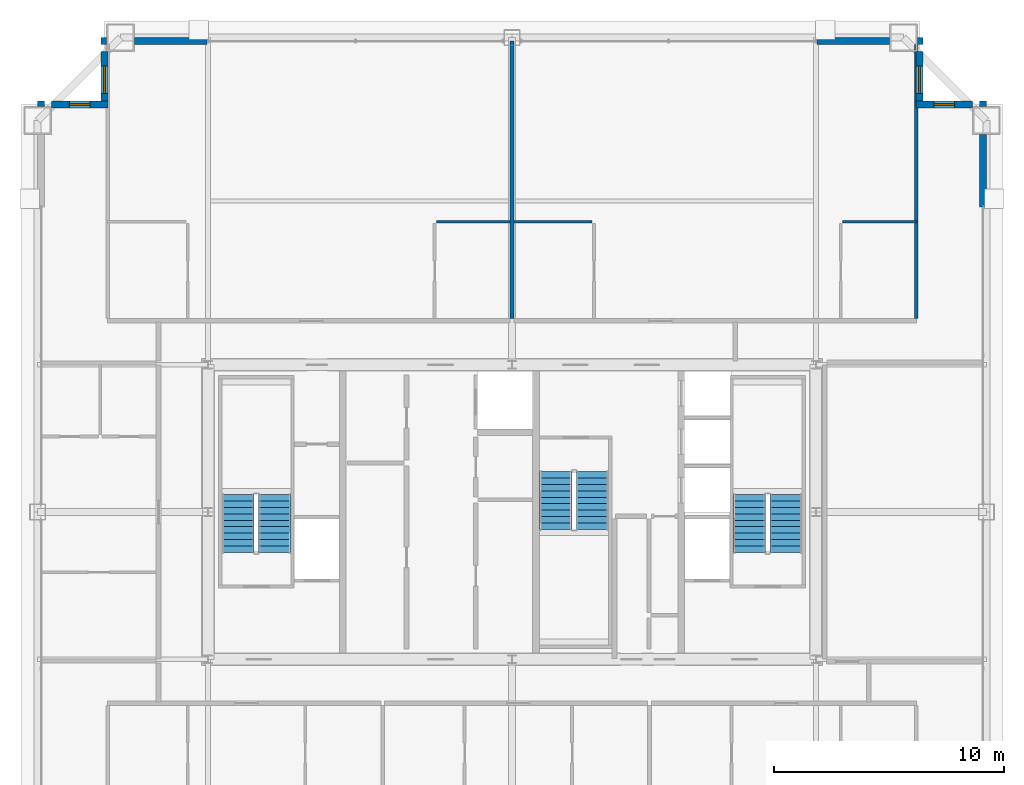
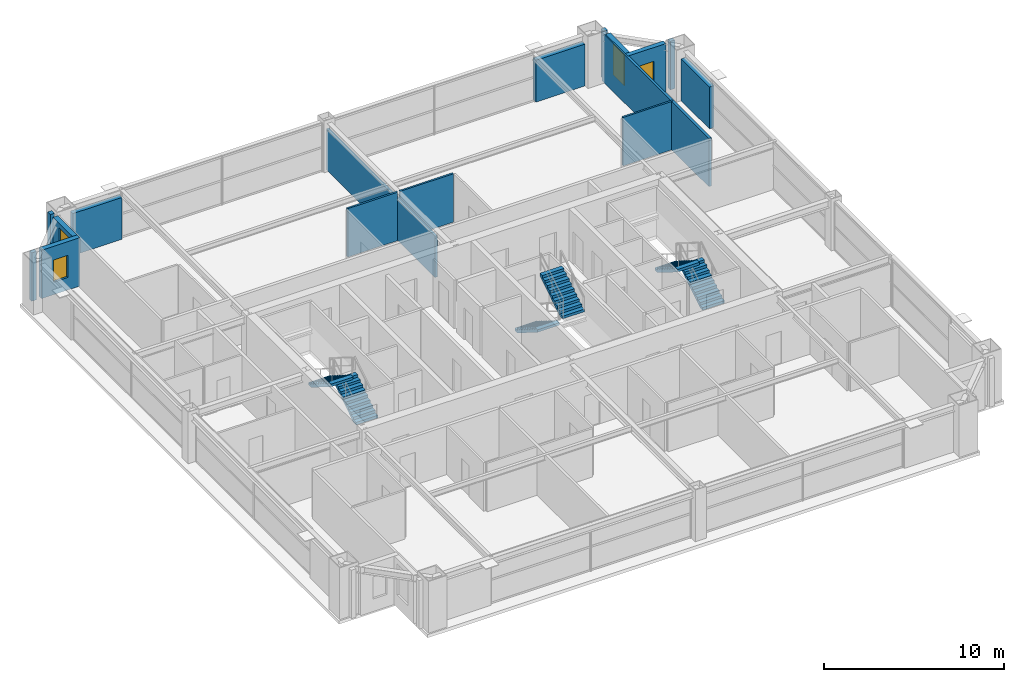
# One storey, part 36 of 37: 16 walls, 6 stair flights, 4 windows, 4 openings, 3 elements without a shape of their own.
"""IFC4 building model written with IfcOpenShell, lengths in metres."""

import ifcopenshell
import ifcopenshell.guid

model = None  # the IFC model being written
_history = None  # IfcOwnerHistory: only IFC2X3 demands one
_inside = {}  # id of a spatial element -> (the spatial element, [elements in it])
_under = {}  # id of a project, library or spatial element -> (it, [spatial elements below it])
_declared = {}  # id of a project -> (the project, [libraries it declares])
_typed = {}  # id of a type object -> (the type object, [elements of that type])
_made_of = {}  # id of a material, layer set ... -> (it, [elements and type objects made of it])


def new_model(schema):
    """Start an empty IFC model of exactly this schema.

    Asked for "IFC4X3", IfcOpenShell would pick the latest addendum, in which some entities
    have other attributes; the version numbers below select the first issue.
    IFC2X3 requires an IfcOwnerHistory on every rooted entity: one is made here for all.
    """
    global model, _history
    if schema == "IFC4X3":
        model = ifcopenshell.file(schema_version=(4, 3, 0, 0))
    else:
        model = ifcopenshell.file(schema=schema)
    _inside.clear()
    _under.clear()
    _declared.clear()
    _typed.clear()
    _made_of.clear()
    _history = None
    if model.schema == "IFC2X3":
        org = make("IfcOrganization", Name="unknown")
        user = make(
            "IfcPersonAndOrganization",
            ThePerson=make("IfcPerson", FamilyName="unknown"),
            TheOrganization=org,
        )
        app = make(
            "IfcApplication",
            ApplicationDeveloper=org,
            Version="unknown",
            ApplicationFullName="unknown",
            ApplicationIdentifier="unknown",
        )
        _history = make(
            "IfcOwnerHistory",
            OwningUser=user,
            OwningApplication=app,
            ChangeAction="ADDED",
            CreationDate=0,
        )
    return model


def make(cls, **values):
    """One entity of the class cls with the attributes given. An attribute that is None is left unset."""
    return model.create_entity(
        cls, **{name: value for name, value in values.items() if value is not None}
    )


def rooted(cls, **values):
    """An entity with a GlobalId (a new one), such as an element, a storey or a relation."""
    return make(cls, GlobalId=ifcopenshell.guid.new(), OwnerHistory=_history, **values)


def si_unit(unit_type, name, prefix=None):
    """IfcSIUnit, for example si_unit("LENGTHUNIT", "METRE", prefix="MILLI")."""
    return make("IfcSIUnit", UnitType=unit_type, Prefix=prefix, Name=name)


def assignment(units):
    """IfcUnitAssignment: the units of a project."""
    return None if units is None else make("IfcUnitAssignment", Units=units)


def point(xyz):
    """IfcCartesianPoint."""
    return None if xyz is None else make("IfcCartesianPoint", Coordinates=xyz)


def direction(xyz):
    """IfcDirection."""
    return None if xyz is None else make("IfcDirection", DirectionRatios=xyz)


def frame(location, z_axis=None, x_axis=None):
    """IfcAxis2Placement3D, a coordinate frame: its origin and axes. An axis left out is left unset."""
    return make(
        "IfcAxis2Placement3D",
        Location=point(location),
        Axis=direction(z_axis),
        RefDirection=direction(x_axis),
    )


def frame_2d(location, x_axis=None):
    """IfcAxis2Placement2D, a coordinate frame in the plane: its origin and x axis."""
    return make(
        "IfcAxis2Placement2D", Location=point(location), RefDirection=direction(x_axis)
    )


def origin():
    """The frame at (0, 0, 0) with its axes left unset."""
    return frame((0.0, 0.0, 0.0))


def place(relative_to, where):
    """IfcLocalPlacement: puts the frame where relative to a parent placement (None: the world)."""
    return make(
        "IfcLocalPlacement", PlacementRelTo=relative_to, RelativePlacement=where
    )


def context(
    kind, dimensions, precision=None, world=None, true_north=None, identifier=None
):
    """IfcGeometricRepresentationContext, for example the 3D "Model" context."""
    return make(
        "IfcGeometricRepresentationContext",
        ContextIdentifier=identifier,
        ContextType=kind,
        CoordinateSpaceDimension=dimensions,
        Precision=precision,
        WorldCoordinateSystem=world,
        TrueNorth=true_north,
    )


def subcontext(parent, identifier, kind, view, scale=None):
    """IfcGeometricRepresentationSubContext, for example "Body" below "Model"."""
    return make(
        "IfcGeometricRepresentationSubContext",
        ContextIdentifier=identifier,
        ContextType=kind,
        ParentContext=parent,
        TargetScale=scale,
        TargetView=view,
    )


def project(units=None, contexts=None):
    """IfcProject with its units and contexts."""
    return rooted(
        "IfcProject",
        Name="project",
        RepresentationContexts=contexts,
        UnitsInContext=assignment(units),
    )


def spatial(cls, under=None, at=None, **own):
    """A site, building, storey or space (cls), placed at a placement, below another one or the project."""
    s = rooted(cls, ObjectPlacement=at, **own)
    if under is not None:
        _under.setdefault(under.id(), (under, []))[1].append(s)
    return s


def polyline(points):
    """IfcPolyline through the points."""
    return make("IfcPolyline", Points=[point(p) for p in points])


def profile(cls, at=None, kind="AREA", **sizes):
    """A parametric profile (cls). Its sizes go by their IFC names, for example OverallWidth=200.0."""
    return make(cls, ProfileType=kind, Position=at, **sizes)


def rectangle(**sizes):
    """IfcRectangleProfileDef."""
    return profile("IfcRectangleProfileDef", **sizes)


def outline(outer, holes=None, kind="AREA"):
    """IfcArbitraryClosedProfileDef: a profile drawn as a closed curve; with holes, ...WithVoids."""
    if holes is None:
        return make("IfcArbitraryClosedProfileDef", ProfileType=kind, OuterCurve=outer)
    return make(
        "IfcArbitraryProfileDefWithVoids",
        ProfileType=kind,
        OuterCurve=outer,
        InnerCurves=holes,
    )


def extrude(swept, where, along, depth):
    """IfcExtrudedAreaSolid: the profile swept, set in the frame where, extruded along a direction by depth."""
    return make(
        "IfcExtrudedAreaSolid",
        SweptArea=swept,
        Position=where,
        ExtrudedDirection=direction(along),
        Depth=depth,
    )


def shape(context_of_items, identifier, shape_type, items):
    """IfcShapeRepresentation: the items that make up one representation, for example the "Body"."""
    return make(
        "IfcShapeRepresentation",
        ContextOfItems=context_of_items,
        RepresentationIdentifier=identifier,
        RepresentationType=shape_type,
        Items=items,
    )


def source(mapping_origin, context_of_items, identifier, shape_type, items):
    """IfcRepresentationMap: a shape defined once, which mapped items show again and again."""
    return make(
        "IfcRepresentationMap",
        MappingOrigin=mapping_origin,
        MappedRepresentation=shape(context_of_items, identifier, shape_type, items),
    )


def transform(
    local_origin,
    x_axis=None,
    y_axis=None,
    z_axis=None,
    scale=None,
    scale2=None,
    scale3=None,
    uniform=True,
):
    """IfcCartesianTransformationOperator3D, or its non-uniform kind. x_axis, y_axis, z_axis: its Axis1, 2, 3."""
    if uniform:
        return make(
            "IfcCartesianTransformationOperator3D",
            Axis1=direction(x_axis),
            Axis2=direction(y_axis),
            LocalOrigin=point(local_origin),
            Scale=scale,
            Axis3=direction(z_axis),
        )
    return make(
        "IfcCartesianTransformationOperator3DnonUniform",
        Axis1=direction(x_axis),
        Axis2=direction(y_axis),
        LocalOrigin=point(local_origin),
        Scale=scale,
        Axis3=direction(z_axis),
        Scale2=scale2,
        Scale3=scale3,
    )


def mapped(mapping_source, mapping_target):
    """IfcMappedItem: shows the shape of a source again, moved by a transform."""
    return make(
        "IfcMappedItem", MappingSource=mapping_source, MappingTarget=mapping_target
    )


def material(Name=None, Category=None):
    """IfcMaterial."""
    return make("IfcMaterial", Name=Name, Category=Category)


def layer(
    of_material, thickness, ventilated=None, Name=None, Category=None, Priority=None
):
    """IfcMaterialLayer: one layer of a wall or slab, of a material (None: an air gap)."""
    return make(
        "IfcMaterialLayer",
        Material=of_material,
        LayerThickness=thickness,
        IsVentilated=ventilated,
        Name=Name,
        Category=Category,
        Priority=Priority,
    )


def layer_set(layers, Name=None):
    """IfcMaterialLayerSet."""
    return make("IfcMaterialLayerSet", MaterialLayers=layers, LayerSetName=Name)


def made_of(thing, what):
    """Note that an element or type object is made of a material, layer set ...; save() writes the relation."""
    if what is not None:
        _made_of.setdefault(what.id(), (what, []))[1].append(thing)
    return thing


def type_object(cls, material=None, **own):
    """A type object (cls), such as IfcWallType, which elements share."""
    return made_of(rooted(cls, **own), material)


def element(
    cls,
    number,
    at=None,
    inside=None,
    cuts=None,
    type_object=None,
    material=None,
    context=None,
    identifier="Body",
    shape_type=None,
    held_by="IfcProductDefinitionShape",
    body=None,
    shapes=None,
    **own,
):
    """One element of the class cls, such as IfcWall. Its Tag is "e" and its number.

    at: its placement. inside: the storey or other place that contains it. cuts: it is an
    opening in that element (IfcRelVoidsElement). A single representation is given by context,
    identifier, shape_type and body (its items); several are given by shapes. held_by: the class
    of the entity that holds the representations. save() writes the other relations.
    """
    e = rooted(cls, Tag="e%d" % number, ObjectPlacement=at, **own)
    if body is not None:
        shapes = [shape(context, identifier, shape_type, body)]
    if shapes is not None:
        e.Representation = make(held_by, Representations=shapes)
    if inside is not None:
        _inside.setdefault(inside.id(), (inside, []))[1].append(e)
    if cuts is not None:
        rooted(
            "IfcRelVoidsElement", RelatingBuildingElement=cuts, RelatedOpeningElement=e
        )
    if type_object is not None:
        _typed.setdefault(type_object.id(), (type_object, []))[1].append(e)
    return made_of(e, material)


def fill(opening, filler):
    """IfcRelFillsElement: the door or window that sits in an opening."""
    return rooted(
        "IfcRelFillsElement",
        RelatingOpeningElement=opening,
        RelatedBuildingElement=filler,
    )


def aggregate(whole, parts):
    """IfcRelAggregates: a whole, such as a stair, and the parts it consists of."""
    return rooted("IfcRelAggregates", RelatingObject=whole, RelatedObjects=parts)


def save(model, path):
    """Write the relations noted so far, then the file.

    IfcRelAggregates (storeys below a building ...), IfcRelContainedInSpatialStructure (elements
    in a storey), IfcRelDefinesByType, IfcRelAssociatesMaterial and IfcRelDeclares: one each for
    every whole, place, type object, material and project.
    """
    for whole, parts in _under.values():
        aggregate(whole, parts)
    for where, things in _inside.values():
        rooted(
            "IfcRelContainedInSpatialStructure",
            RelatedElements=things,
            RelatingStructure=where,
        )
    for kind, things in _typed.values():
        rooted("IfcRelDefinesByType", RelatedObjects=things, RelatingType=kind)
    for what, things in _made_of.values():
        rooted("IfcRelAssociatesMaterial", RelatedObjects=things, RelatingMaterial=what)
    for by, libraries in _declared.values():
        rooted("IfcRelDeclares", RelatingContext=by, RelatedDefinitions=libraries)
    model.write(path)


model = new_model("IFC4")

# Units and contexts
model_context = context("Model", 3, precision=1e-05, world=origin(), true_north=direction((0.0, 1.0)))
body_context = subcontext(model_context, "Body", "Model", "MODEL_VIEW")
ifc_project = project(units=[si_unit("LENGTHUNIT", "METRE"), si_unit("AREAUNIT", "SQUARE_METRE"), si_unit("VOLUMEUNIT", "CUBIC_METRE"), si_unit("PLANEANGLEUNIT", "RADIAN"), si_unit("MASSUNIT", "GRAM", prefix="KILO"), si_unit("THERMODYNAMICTEMPERATUREUNIT", "KELVIN"), si_unit("POWERUNIT", "WATT")], contexts=[model_context])

# Site, building, storey
site_placement = place(None, origin())
site = spatial("IfcSite", under=ifc_project, at=site_placement, CompositionType="ELEMENT")
building_placement = place(site_placement, origin())
building = spatial("IfcBuilding", under=site, at=building_placement, Name="Yuzanri Waterfront Tower", CompositionType="ELEMENT")
storey_placement = place(building_placement, frame((0.0, 0.0, 275.10009765625)))
storey = spatial("IfcBuildingStorey", under=building, at=storey_placement, Name="L73", CompositionType="ELEMENT", Elevation=275.10009765625)

# Wall, opening, window
ifc_material_1 = material(Name="Honed Chongqing Dark Basalt Stone", Category="masonry")
ifc_layer_1 = layer(ifc_material_1, 0.300048828125)
ifc_layer_set_1 = layer_set([ifc_layer_1], Name="Honed Chongqing Dark Basalt Stone")
wall_type_1 = type_object("IfcWallType", Name="Bronze Rainscreen Insulated Spandrel Portal Wall 300", PredefinedType="SOLIDWALL", material=ifc_layer_set_1)
wall_1_placement = place(storey_placement, frame((19.449951171875, 43.5, 0.0), z_axis=(0.0, 0.0, 1.0), x_axis=(-1.0, 0.0, 0.0)))
wall_1 = element("IfcWall", 1, at=wall_1_placement, inside=storey, type_object=wall_type_1, Name="L73 Notched Corner Masonry Wall NW-X", PredefinedType="SOLIDWALL", context=body_context, shape_type="SweptSolid", body=[
    extrude(rectangle(XDim=2.449951171875, YDim=0.300048828125, at=frame_2d((1.22509765625, 0.0))), origin(), (0.0, 0.0, 1.0), 3.27978515625),
])
opening_1_placement = place(wall_1_placement, frame((0.77490234375, 0.0, 0.85009765625)))
opening_1 = element("IfcOpeningElement", 2, at=opening_1_placement, cuts=wall_1, Name="Opening WN-05", PredefinedType="OPENING", context=body_context, shape_type="SweptSolid", body=[
    extrude(rectangle(XDim=0.89990234375, YDim=1.5, at=frame_2d((0.449951171875, 0.75))), frame((0.0, 0.1650390625, 0.0), z_axis=(0.0, -1.0, 0.0), x_axis=(1.0, 0.0, 0.0)), (0.0, 0.0, 1.0), 0.329833984375),
])
ifc_material_2 = material(Name="Double-Silver Low-E Insulated Glass", Category="glass")
window_type_1 = type_object("IfcWindowType", Name="Anodized Bronze Service and Stairwell Smoke-Vent Window 900x1500", PartitioningType="SINGLE_PANEL", PredefinedType="WINDOW", material=ifc_material_2)
shared_shape_1 = source(origin(), body_context, "Body", "SweptSolid", [
    extrude(rectangle(XDim=0.89990234375, YDim=1.5, at=frame_2d((0.449951171875, 0.75))), frame((0.0, 0.030029296875, 0.0), z_axis=(0.0, -1.0, 0.0), x_axis=(1.0, 0.0, 0.0)), (0.0, 0.0, 1.0), 0.06005859375),
])
window_1_placement = place(opening_1_placement, origin())
window_1 = element("IfcWindow", 3, at=window_1_placement, inside=storey, type_object=window_type_1, Name="L73 Notched Corner Window NW-X", OverallHeight=1.5, OverallWidth=0.89990234375, PartitioningType="SINGLE_PANEL", PredefinedType="WINDOW", context=body_context, shape_type="MappedRepresentation", body=[
    mapped(shared_shape_1, transform((0.0, 0.0, 0.0), scale=1.0)),
])
fill(opening_1, window_1)

wall_2_placement = place(storey_placement, frame((19.300048828125, 45.800048828125, 0.0), z_axis=(0.0, 0.0, 1.0), x_axis=(0.0, -1.0, 0.0)))
wall_2 = element("IfcWall", 4, at=wall_2_placement, inside=storey, type_object=wall_type_1, Name="L73 Notched Corner Masonry Wall NW-Y", PredefinedType="SOLIDWALL", context=body_context, shape_type="SweptSolid", body=[
    extrude(rectangle(XDim=2.449951171875, YDim=0.300048828125, at=frame_2d((1.22509765625, 0.0))), origin(), (0.0, 0.0, 1.0), 3.27978515625),
])
opening_2_placement = place(wall_2_placement, frame((0.625, 0.0, 0.85009765625)))
opening_2 = element("IfcOpeningElement", 5, at=opening_2_placement, cuts=wall_2, Name="Opening WN-02", PredefinedType="OPENING", context=body_context, shape_type="SweptSolid", body=[
    extrude(rectangle(XDim=1.199951171875, YDim=2.10009765625, at=frame_2d((0.60009765625, 1.050048828125))), frame((0.0, 0.1650390625, 0.0), z_axis=(0.0, -1.0, 0.0), x_axis=(1.0, 0.0, 0.0)), (0.0, 0.0, 1.0), 0.329833984375),
])
ifc_material_3 = material(Name="Double-Silver Low-E Insulated Glass", Category="glass")
window_type_2 = type_object("IfcWindowType", Name="Anodized Bronze Notched Corner Deep-Set Slot Window 1200x2100", PartitioningType="SINGLE_PANEL", PredefinedType="WINDOW", material=ifc_material_3)
shared_shape_2 = source(origin(), body_context, "Body", "SweptSolid", [
    extrude(rectangle(XDim=1.199951171875, YDim=2.10009765625, at=frame_2d((0.60009765625, 1.050048828125))), frame((0.0, 0.030029296875, 0.0), z_axis=(0.0, -1.0, 0.0), x_axis=(1.0, 0.0, 0.0)), (0.0, 0.0, 1.0), 0.06005859375),
])
window_2_placement = place(opening_2_placement, origin())
window_2 = element("IfcWindow", 6, at=window_2_placement, inside=storey, type_object=window_type_2, Name="L73 Notched Corner Window NW-Y", OverallHeight=2.10009765625, OverallWidth=1.199951171875, PartitioningType="SINGLE_PANEL", PredefinedType="WINDOW", context=body_context, shape_type="MappedRepresentation", body=[
    mapped(shared_shape_2, transform((0.0, 0.0, 0.0), scale=1.0)),
])
fill(opening_2, window_2)

wall_3_placement = place(storey_placement, frame((57.0, 43.5, 0.0), z_axis=(0.0, 0.0, 1.0), x_axis=(-1.0, 0.0, 0.0)))
wall_3 = element("IfcWall", 7, at=wall_3_placement, inside=storey, type_object=wall_type_1, Name="L73 Notched Corner Masonry Wall NE-X", PredefinedType="SOLIDWALL", context=body_context, shape_type="SweptSolid", body=[
    extrude(rectangle(XDim=2.449951171875, YDim=0.300048828125, at=frame_2d((1.22509765625, 0.0))), origin(), (0.0, 0.0, 1.0), 3.27978515625),
])
opening_3_placement = place(wall_3_placement, frame((0.77490234375, 0.0, 0.85009765625)))
opening_3 = element("IfcOpeningElement", 8, at=opening_3_placement, cuts=wall_3, Name="Opening WN-05", PredefinedType="OPENING", context=body_context, shape_type="SweptSolid", body=[
    extrude(rectangle(XDim=0.89990234375, YDim=1.5, at=frame_2d((0.449951171875, 0.75))), frame((0.0, 0.1650390625, 0.0), z_axis=(0.0, -1.0, 0.0), x_axis=(1.0, 0.0, 0.0)), (0.0, 0.0, 1.0), 0.329833984375),
])
window_3_placement = place(opening_3_placement, origin())
window_3 = element("IfcWindow", 9, at=window_3_placement, inside=storey, type_object=window_type_1, Name="L73 Notched Corner Window NE-X", OverallHeight=1.5, OverallWidth=0.89990234375, PartitioningType="SINGLE_PANEL", PredefinedType="WINDOW", context=body_context, shape_type="MappedRepresentation", body=[
    mapped(shared_shape_1, transform((0.0, 0.0, 0.0), scale=1.0)),
])
fill(opening_3, window_3)

wall_4_placement = place(storey_placement, frame((54.699951171875, 43.35009765625, 0.0), z_axis=(0.0, 0.0, 1.0), x_axis=(0.0, 1.0, 0.0)))
wall_4 = element("IfcWall", 10, at=wall_4_placement, inside=storey, type_object=wall_type_1, Name="L73 Notched Corner Masonry Wall NE-Y", PredefinedType="SOLIDWALL", context=body_context, shape_type="SweptSolid", body=[
    extrude(rectangle(XDim=2.449951171875, YDim=0.300048828125, at=frame_2d((1.22509765625, 0.0))), origin(), (0.0, 0.0, 1.0), 3.27978515625),
])
opening_4_placement = place(wall_4_placement, frame((0.625, 0.0, 0.85009765625)))
opening_4 = element("IfcOpeningElement", 11, at=opening_4_placement, cuts=wall_4, Name="Opening WN-02", PredefinedType="OPENING", context=body_context, shape_type="SweptSolid", body=[
    extrude(rectangle(XDim=1.199951171875, YDim=2.10009765625, at=frame_2d((0.60009765625, 1.050048828125))), frame((0.0, 0.1650390625, 0.0), z_axis=(0.0, -1.0, 0.0), x_axis=(1.0, 0.0, 0.0)), (0.0, 0.0, 1.0), 0.329833984375),
])
window_4_placement = place(opening_4_placement, origin())
window_4 = element("IfcWindow", 12, at=window_4_placement, inside=storey, type_object=window_type_2, Name="L73 Notched Corner Window NE-Y", OverallHeight=2.10009765625, OverallWidth=1.199951171875, PartitioningType="SINGLE_PANEL", PredefinedType="WINDOW", context=body_context, shape_type="MappedRepresentation", body=[
    mapped(shared_shape_2, transform((0.0, 0.0, 0.0), scale=1.0)),
])
fill(opening_4, window_4)

# Walls
shared_shape_3 = source(origin(), body_context, "Body", "SweptSolid", [
    extrude(rectangle(XDim=0.25, YDim=0.300048828125, at=frame_2d((0.125, 0.0))), origin(), (0.0, 0.0, 1.0), 3.27978515625),
])
for number, where, z_axis, x_axis, name in (
    (13, (19.14990234375, 46.25, 0.0), (0.0, 0.0, 1.0), (1.0, 0.0, 0.0), "L73 Corner Column Shoulder Return CNW"),
    (14, (54.60009765625, 46.25, 0.0), (0.0, 0.0, 1.0), (1.0, 0.0, 0.0), "L73 Corner Column Shoulder Return CNE"),
    (15, (16.550048828125, 43.39990234375, 0.0), (0.0, 0.0, 1.0), (0.0, 1.0, 0.0), "L73 Corner Column Shoulder Return CWN"),
    (16, (57.449951171875, 43.39990234375, 0.0), (0.0, 0.0, 1.0), (0.0, 1.0, 0.0), "L73 Corner Column Shoulder Return CEN"),
):
    element("IfcWall", number, at=place(storey_placement, frame(where, z_axis=z_axis, x_axis=x_axis)), inside=storey, type_object=wall_type_1, Name=name, PredefinedType="SOLIDWALL", context=body_context, shape_type="MappedRepresentation", body=[
        mapped(shared_shape_3, transform((0.0, 0.0, 0.0), scale=1.0)),
    ])
shared_shape_4 = source(origin(), body_context, "Body", "SweptSolid", [
    extrude(rectangle(XDim=3.14990234375, YDim=0.300048828125, at=frame_2d((1.574951171875, 0.0))), origin(), (0.0, 0.0, 1.0), 2.8349609375),
])
for number, where, z_axis, x_axis, name in (
    (17, (20.60009765625, 46.25, 0.0), (0.0, 0.0, 1.0), (1.0, 0.0, 0.0), "L73 N Left Braced Masonry Shoulder"),
    (18, (50.25, 46.25, 0.0), (0.0, 0.0, 1.0), (1.0, 0.0, 0.0), "L73 N Right Braced Masonry Shoulder"),
    (19, (57.449951171875, 39.050048828125, 0.0), (0.0, 0.0, 1.0), (0.0, 1.0, 0.0), "L73 E Right Braced Masonry Shoulder"),
):
    element("IfcWall", number, at=place(storey_placement, frame(where, z_axis=z_axis, x_axis=x_axis)), inside=storey, type_object=wall_type_1, Name=name, PredefinedType="SOLIDWALL", context=body_context, shape_type="MappedRepresentation", body=[
        mapped(shared_shape_4, transform((0.0, 0.0, 0.0), scale=1.0)),
    ])
ifc_material_4 = material(Name="Gypsum Fireboard Acoustic Stud Wall", Category="gypsum")
ifc_layer_2 = layer(ifc_material_4, 0.159912109375)
ifc_layer_set_2 = layer_set([ifc_layer_2], Name="Gypsum Fireboard Acoustic Stud Wall")
wall_type_2 = type_object("IfcWallType", Name="Acoustic Suite Demising Partition 160", PredefinedType="PARTITIONING", material=ifc_layer_set_2)
shared_shape_5 = source(origin(), body_context, "Body", "SweptSolid", [
    extrude(rectangle(XDim=12.0400390625, YDim=0.159912109375, at=frame_2d((6.02001953125, 0.0))), origin(), (0.0, 0.0, 1.0), 2.786865234375),
])
wall_5_placement = place(storey_placement, frame((37.0, 34.2099609375, 0.0), z_axis=(0.0, 0.0, 1.0), x_axis=(0.0, 1.0, 0.0)))
element("IfcWall", 20, at=wall_5_placement, inside=storey, type_object=wall_type_2, Name="L73-HN1 Party Wall", PredefinedType="PARTITIONING", context=body_context, shape_type="MappedRepresentation", body=[
    mapped(shared_shape_5, transform((0.0, 0.0, 0.0), scale=1.0)),
])
ifc_material_5 = material(Name="Moisture-Resistant Gypsum Stud Wall", Category="gypsum")
ifc_layer_3 = layer(ifc_material_5, 0.1201171875)
ifc_layer_set_3 = layer_set([ifc_layer_3], Name="Moisture-Resistant Gypsum Stud Wall")
wall_type_3 = type_object("IfcWallType", Name="Bathroom and Kitchen Wet Partition 120", PredefinedType="PARTITIONING", material=ifc_layer_set_3)
shared_shape_6 = source(origin(), body_context, "Body", "SweptSolid", [
    extrude(rectangle(XDim=3.199951171875, YDim=0.1201171875, at=frame_2d((1.60009765625, 0.0))), origin(), (0.0, 0.0, 1.0), 3.27978515625),
])
for number, where, z_axis, x_axis, name in (
    (21, (33.719970703125, 38.39990234375, 0.0), (0.0, 0.0, 1.0), (1.0, 0.0, 0.0), "L73 Partition UW-L73-HN1-SUB-2-N"),
    (22, (51.360107421875, 38.39990234375, 0.0), (0.0, 0.0, 1.0), (1.0, 0.0, 0.0), "L73 Partition UW-L73-HN2-SUB-2-N"),
):
    element("IfcWall", number, at=place(storey_placement, frame(where, z_axis=z_axis, x_axis=x_axis)), inside=storey, type_object=wall_type_3, Name=name, PredefinedType="PARTITIONING", context=body_context, shape_type="MappedRepresentation", body=[
        mapped(shared_shape_6, transform((0.0, 0.0, 0.0), scale=1.0)),
    ])
shared_shape_7 = source(origin(), body_context, "Body", "SweptSolid", [
    extrude(rectangle(XDim=11.89013671875, YDim=0.159912109375, at=frame_2d((5.945068359375, 0.0))), origin(), (0.0, 0.0, 1.0), 3.27978515625),
])
wall_6_placement = place(storey_placement, frame((54.550048828125, 34.2099609375, 0.0), z_axis=(0.0, 0.0, 1.0), x_axis=(0.0, 1.0, 0.0)))
element("IfcWall", 23, at=wall_6_placement, inside=storey, type_object=wall_type_2, Name="L73 North Band East End Wall", PredefinedType="PARTITIONING", context=body_context, shape_type="MappedRepresentation", body=[
    mapped(shared_shape_7, transform((0.0, 0.0, 0.0), scale=1.0)),
])
shared_shape_8 = source(origin(), body_context, "Body", "SweptSolid", [
    extrude(rectangle(XDim=3.39990234375, YDim=0.1201171875, at=frame_2d((1.699951171875, 0.0))), origin(), (0.0, 0.0, 1.0), 3.27978515625),
])
wall_7_placement = place(storey_placement, frame((37.080078125, 38.39990234375, 0.0), z_axis=(0.0, 0.0, 1.0), x_axis=(1.0, 0.0, 0.0)))
element("IfcWall", 24, at=wall_7_placement, inside=storey, type_object=wall_type_3, Name="L73 Partition UW-L73-HN2-SUB-1-N", PredefinedType="PARTITIONING", context=body_context, shape_type="MappedRepresentation", body=[
    mapped(shared_shape_8, transform((0.0, 0.0, 0.0), scale=1.0)),
])

# Stair, stair flights
ifc_material_6 = material(Name="Concrete C40", Category="concrete")
stair_type = type_object("IfcStairType", Name="Concrete C40 Core Dogleg Exit Stair", PredefinedType="HALF_TURN_STAIR", material=ifc_material_6)
stair_1_placement = place(storey_placement, origin())
stair_1 = element("IfcStair", 25, at=stair_1_placement, inside=storey, type_object=stair_type, Name="L73 Smoke-Proof Core Stair ST-01", PredefinedType="HALF_TURN_STAIR")
ifc_material_7 = material(Name="Concrete C40", Category="concrete")
stair_flight_type = type_object("IfcStairFlightType", Name="Concrete C40 Precast Stair Flight 1380", PredefinedType="STRAIGHT", material=ifc_material_7)
shared_shape_9 = source(origin(), body_context, "Body", "SweptSolid", [
    extrude(outline(polyline([(0.0, 0.0), (0.0, 0.175048828125), (0.280029296875, 0.175048828125), (0.280029296875, 0.35009765625), (0.56005859375, 0.35009765625), (0.56005859375, 0.52490234375), (0.840087890625, 0.52490234375), (0.840087890625, 0.699951171875), (1.1201171875, 0.699951171875), (1.1201171875, 0.875), (1.39990234375, 0.875), (1.39990234375, 1.050048828125), (1.679931640625, 1.050048828125), (1.679931640625, 1.22509765625), (1.9599609375, 1.22509765625), (1.9599609375, 1.39990234375), (2.239990234375, 1.39990234375), (2.239990234375, 1.574951171875), (2.52001953125, 1.574951171875), (2.52001953125, 1.75), (2.52001953125, 1.398193359375), (0.28271484375, 0.0), (0.0, 0.0)])), frame((0.0, 0.699951171875, 0.0), z_axis=(0.0, -1.0, 0.0), x_axis=(1.0, 0.0, 0.0)), (0.0, 0.0, 1.0), 1.39990234375),
])
stair_flight_1_placement = place(storey_placement, frame((26.699951171875, 24.0400390625, 0.0), z_axis=(0.0, 0.0, 1.0), x_axis=(0.0, 1.0, 0.0)))
stair_flight_1 = element("IfcStairFlight", 26, at=stair_flight_1_placement, type_object=stair_flight_type, Name="ST-01 flight 1", NumberOfRisers=10, NumberOfTreads=9, PredefinedType="STRAIGHT", RiserHeight=0.175, TreadLength=0.28, context=body_context, shape_type="MappedRepresentation", body=[
    mapped(shared_shape_9, transform((0.0, 0.0, 0.0), scale=1.0)),
])
stair_flight_2_placement = place(storey_placement, frame((25.10009765625, 26.56005859375, 1.75), z_axis=(0.0, 0.0, 1.0), x_axis=(0.0, -1.0, 0.0)))
stair_flight_2 = element("IfcStairFlight", 27, at=stair_flight_2_placement, type_object=stair_flight_type, Name="ST-01 flight 2", NumberOfRisers=10, NumberOfTreads=9, PredefinedType="STRAIGHT", RiserHeight=0.175, TreadLength=0.28, context=body_context, shape_type="MappedRepresentation", body=[
    mapped(shared_shape_9, transform((0.0, 0.0, 0.0), scale=1.0)),
])
aggregate(stair_1, [stair_flight_1, stair_flight_2])

stair_2_placement = place(storey_placement, origin())
stair_2 = element("IfcStair", 28, at=stair_2_placement, inside=storey, type_object=stair_type, Name="L73 Smoke-Proof Core Stair ST-02", PredefinedType="HALF_TURN_STAIR")
stair_flight_3_placement = place(storey_placement, frame((48.89990234375, 24.0400390625, 0.0), z_axis=(0.0, 0.0, 1.0), x_axis=(0.0, 1.0, 0.0)))
stair_flight_3 = element("IfcStairFlight", 29, at=stair_flight_3_placement, type_object=stair_flight_type, Name="ST-02 flight 1", NumberOfRisers=10, NumberOfTreads=9, PredefinedType="STRAIGHT", RiserHeight=0.175, TreadLength=0.28, context=body_context, shape_type="MappedRepresentation", body=[
    mapped(shared_shape_9, transform((0.0, 0.0, 0.0), scale=1.0)),
])
stair_flight_4_placement = place(storey_placement, frame((47.300048828125, 26.56005859375, 1.75), z_axis=(0.0, 0.0, 1.0), x_axis=(0.0, -1.0, 0.0)))
stair_flight_4 = element("IfcStairFlight", 30, at=stair_flight_4_placement, type_object=stair_flight_type, Name="ST-02 flight 2", NumberOfRisers=10, NumberOfTreads=9, PredefinedType="STRAIGHT", RiserHeight=0.175, TreadLength=0.28, context=body_context, shape_type="MappedRepresentation", body=[
    mapped(shared_shape_9, transform((0.0, 0.0, 0.0), scale=1.0)),
])
aggregate(stair_2, [stair_flight_3, stair_flight_4])

stair_3_placement = place(storey_placement, origin())
stair_3 = element("IfcStair", 31, at=stair_3_placement, inside=storey, type_object=stair_type, Name="L73 Smoke-Proof Core Stair ST-03", PredefinedType="HALF_TURN_STAIR")
stair_flight_5_placement = place(storey_placement, frame((38.89990234375, 27.56005859375, 0.0), z_axis=(0.0, 0.0, 1.0), x_axis=(0.0, -1.0, 0.0)))
stair_flight_5 = element("IfcStairFlight", 32, at=stair_flight_5_placement, type_object=stair_flight_type, Name="ST-03 flight 1", NumberOfRisers=10, NumberOfTreads=9, PredefinedType="STRAIGHT", RiserHeight=0.175, TreadLength=0.28, context=body_context, shape_type="MappedRepresentation", body=[
    mapped(shared_shape_9, transform((0.0, 0.0, 0.0), scale=1.0)),
])
stair_flight_6_placement = place(storey_placement, frame((40.5, 25.0400390625, 1.75), z_axis=(0.0, 0.0, 1.0), x_axis=(0.0, 1.0, 0.0)))
stair_flight_6 = element("IfcStairFlight", 33, at=stair_flight_6_placement, type_object=stair_flight_type, Name="ST-03 flight 2", NumberOfRisers=10, NumberOfTreads=9, PredefinedType="STRAIGHT", RiserHeight=0.175, TreadLength=0.28, context=body_context, shape_type="MappedRepresentation", body=[
    mapped(shared_shape_9, transform((0.0, 0.0, 0.0), scale=1.0)),
])
aggregate(stair_3, [stair_flight_5, stair_flight_6])

save(model, "model.ifc")
